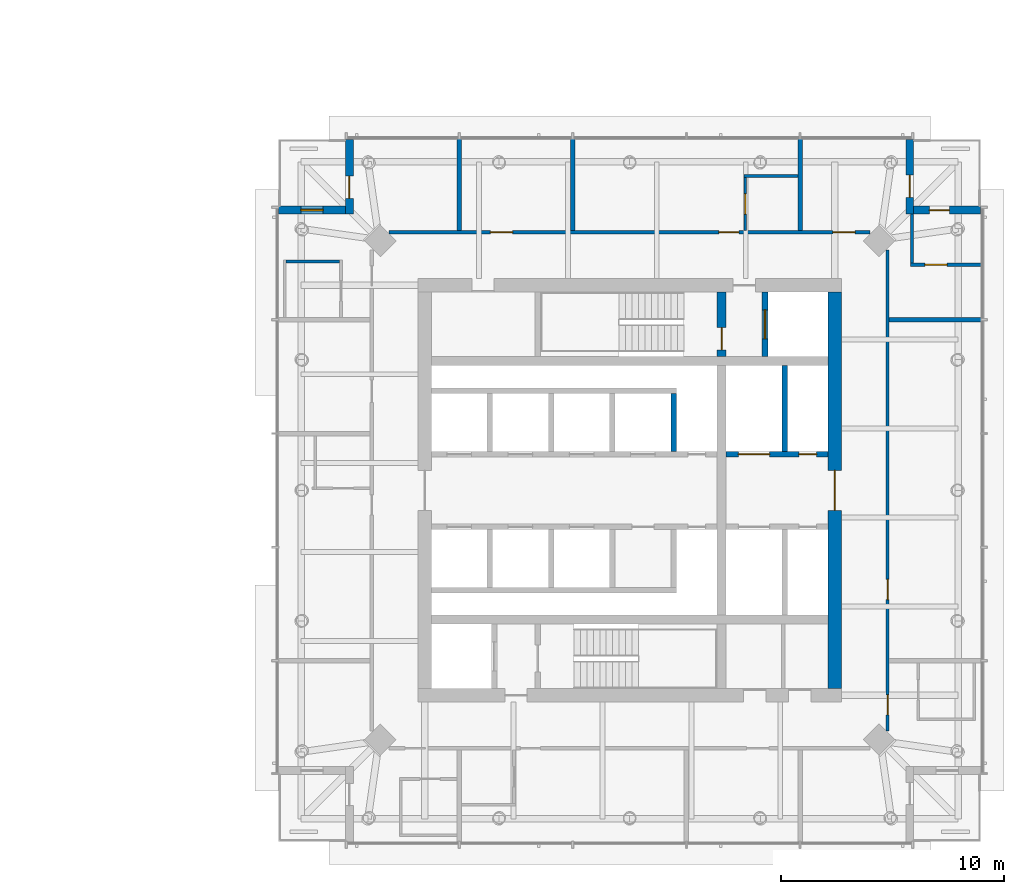
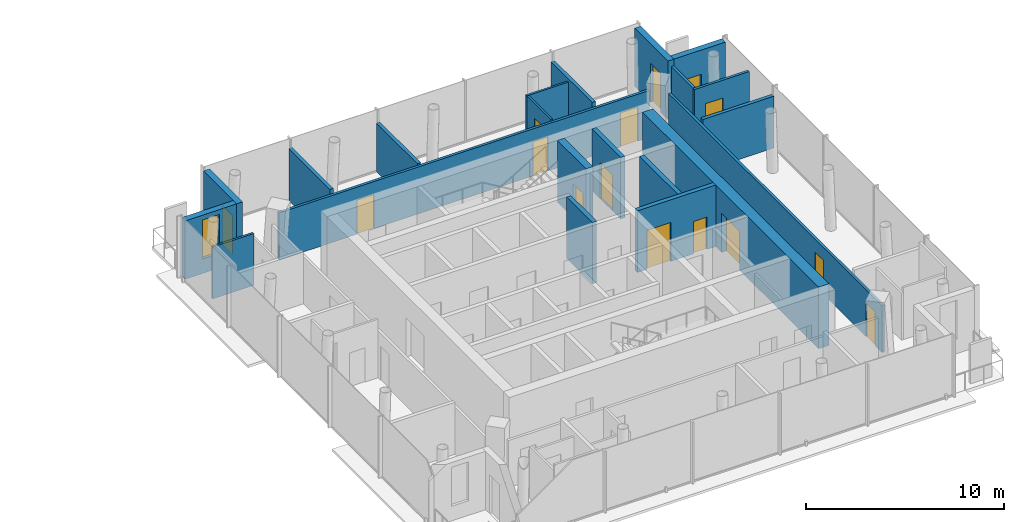
# One storey, part 14 of 19: 21 walls, 15 doors, 1 window, 16 openings.
"""IFC4 building model written with IfcOpenShell, lengths in metres."""

from ifc_helpers import new_model, si_unit, direction, frame, frame_2d, origin, place, context, subcontext, project, spatial, rectangle, extrude, material, layer, layer_set, type_object, element, fill, save


model = new_model("IFC4")

# Units and contexts
model_context = context("Model", 3, precision=1e-05, world=origin(), true_north=direction((0.0, 1.0)))
body_context = subcontext(model_context, "Body", "Model", "MODEL_VIEW")
ifc_project = project(units=[si_unit("LENGTHUNIT", "METRE"), si_unit("AREAUNIT", "SQUARE_METRE"), si_unit("VOLUMEUNIT", "CUBIC_METRE"), si_unit("PLANEANGLEUNIT", "RADIAN"), si_unit("MASSUNIT", "GRAM", prefix="KILO")], contexts=[model_context])

# Site, building, storey
site_placement = place(None, origin())
site = spatial("IfcSite", under=ifc_project, at=site_placement, CompositionType="ELEMENT")
building_placement = place(site_placement, origin())
building = spatial("IfcBuilding", under=site, at=building_placement, Name="Ostroluk Exchange", CompositionType="ELEMENT")
storey_placement = place(building_placement, frame((0.0, 0.0, 119.800048828125)))
storey = spatial("IfcBuildingStorey", under=building, at=storey_placement, Name="L30", CompositionType="ELEMENT", Elevation=119.800048828125)

# Wall, opening, door
ifc_material_1 = material(Name="Concrete C50/60", Category="concrete")
ifc_layer_1 = layer(ifc_material_1, 0.39990234375)
ifc_layer_set_1 = layer_set([ifc_layer_1], Name="Core cross wall 400 C50/60")
wall_type_1 = type_object("IfcWallType", Name="Core cross wall 400 C50/60", PredefinedType="SHEAR", material=ifc_layer_set_1)
wall_1_placement = place(storey_placement, frame((121.1298828125, 52.0, 0.0), z_axis=(0.0, 0.0, 1.0), x_axis=(0.0, 1.0, 0.0)))
wall_1 = element("IfcWall", 1, at=wall_1_placement, inside=storey, type_object=wall_type_1, Name="T2 core wall YE3", PredefinedType="SHEAR", context=body_context, shape_type="SweptSolid", body=[
    extrude(rectangle(XDim=2.89990234375, YDim=0.39990234375, at=frame_2d((1.449951171875, 0.0))), origin(), (0.0, 0.0, 1.0), 3.800048828125),
])
opening_1_placement = place(wall_1_placement, frame((0.300048828125, 0.0, 0.0)))
opening_1 = element("IfcOpeningElement", 2, at=opening_1_placement, cuts=wall_1, Name="Opening FD60", PredefinedType="OPENING", context=body_context, shape_type="SweptSolid", body=[
    extrude(rectangle(XDim=1.0, YDim=2.10009765625, at=frame_2d((0.5, 1.050048828125))), frame((0.0, 0.2099609375, 0.0), z_axis=(0.0, -1.0, 0.0), x_axis=(1.0, 0.0, 0.0)), (0.0, 0.0, 1.0), 0.419921875),
])
ifc_material_2 = material(Name="Steel", Category="steel")
door_type_1 = type_object("IfcDoorType", Name="Fire door EI 60 1000 x 2100", OperationType="SINGLE_SWING_LEFT", PredefinedType="DOOR", material=ifc_material_2)
door_1_placement = place(opening_1_placement, origin())
door_1 = element("IfcDoor", 3, at=door_1_placement, inside=storey, type_object=door_type_1, Name="Stair T2-S2 door", OperationType="SINGLE_SWING_LEFT", OverallHeight=2.10009765625, OverallWidth=1.0, PredefinedType="DOOR", context=body_context, shape_type="SweptSolid", body=[
    extrude(rectangle(XDim=1.0, YDim=2.10009765625, at=frame_2d((0.5, 1.050048828125))), frame((0.0, 0.02490234375, 0.0), z_axis=(0.0, -1.0, 0.0), x_axis=(1.0, 0.0, 0.0)), (0.0, 0.0, 1.0), 0.050048828125),
])
fill(opening_1, door_1)

ifc_material_3 = material(Name="Concrete C40/50", Category="concrete")
ifc_layer_2 = layer(ifc_material_3, 0.25)
ifc_layer_set_2 = layer_set([ifc_layer_2], Name="Core shaft wall 250")
wall_type_2 = type_object("IfcWallType", Name="Core shaft wall 250", PredefinedType="SHEAR", material=ifc_layer_set_2)
wall_2_placement = place(storey_placement, frame((123.074951171875, 52.0, 0.0), z_axis=(0.0, 0.0, 1.0), x_axis=(0.0, 1.0, 0.0)))
wall_2 = element("IfcWall", 4, at=wall_2_placement, inside=storey, type_object=wall_type_2, Name="Firefighting lift shaft wall", PredefinedType="SHEAR", context=body_context, shape_type="SweptSolid", body=[
    extrude(rectangle(XDim=2.89990234375, YDim=0.25, at=frame_2d((1.449951171875, 0.0))), origin(), (0.0, 0.0, 1.0), 3.800048828125),
])
opening_2_placement = place(wall_2_placement, frame((0.800048828125, 0.0, 0.0)))
opening_2 = element("IfcOpeningElement", 5, at=opening_2_placement, cuts=wall_2, Name="Opening LD2", PredefinedType="OPENING", context=body_context, shape_type="SweptSolid", body=[
    extrude(rectangle(XDim=1.300048828125, YDim=2.199951171875, at=frame_2d((0.64990234375, 1.10009765625))), frame((0.0, 0.135009765625, 0.0), z_axis=(0.0, -1.0, 0.0), x_axis=(1.0, 0.0, 0.0)), (0.0, 0.0, 1.0), 0.27001953125),
])
ifc_material_4 = material(Name="Stainless steel", Category="steel")
door_type_2 = type_object("IfcDoorType", Name="Lift landing door E 60 1300 x 2200", OperationType="DOUBLE_DOOR_SLIDING", PredefinedType="DOOR", material=ifc_material_4)
door_2_placement = place(opening_2_placement, origin())
door_2 = element("IfcDoor", 6, at=door_2_placement, inside=storey, type_object=door_type_2, Name="Lift HF2 landing door", OperationType="DOUBLE_DOOR_SLIDING", OverallHeight=2.199951171875, OverallWidth=1.300048828125, PredefinedType="DOOR", context=body_context, shape_type="SweptSolid", body=[
    extrude(rectangle(XDim=1.300048828125, YDim=2.199951171875, at=frame_2d((0.64990234375, 1.10009765625))), frame((0.0, 0.02490234375, 0.0), z_axis=(0.0, -1.0, 0.0), x_axis=(1.0, 0.0, 0.0)), (0.0, 0.0, 1.0), 0.050048828125),
])
fill(opening_2, door_2)

# Walls
wall_3_placement = place(storey_placement, frame((118.97509765625, 47.75, 0.0), z_axis=(0.0, 0.0, 1.0), x_axis=(0.0, 1.0, 0.0)))
element("IfcWall", 7, at=wall_3_placement, inside=storey, type_object=wall_type_2, Name="Lift shaft wall", PredefinedType="SHEAR", context=body_context, shape_type="SweptSolid", body=[
    extrude(rectangle(XDim=2.60009765625, YDim=0.25, at=frame_2d((1.300048828125, 0.0))), origin(), (0.0, 0.0, 1.0), 3.800048828125),
])
wall_4_placement = place(storey_placement, frame((123.955078125, 47.75, 0.0), z_axis=(0.0, 0.0, 1.0), x_axis=(0.0, 1.0, 0.0)))
element("IfcWall", 8, at=wall_4_placement, inside=storey, type_object=wall_type_2, Name="Lift shaft wall", PredefinedType="SHEAR", context=body_context, shape_type="SweptSolid", body=[
    extrude(rectangle(XDim=3.85009765625, YDim=0.25, at=frame_2d((1.925048828125, 0.0))), origin(), (0.0, 0.0, 1.0), 3.800048828125),
])

# Wall, openings, doors
wall_5_placement = place(storey_placement, frame((121.330078125, 47.625, 0.0), z_axis=(0.0, 0.0, 1.0), x_axis=(1.0, 0.0, 0.0)))
wall_5 = element("IfcWall", 9, at=wall_5_placement, inside=storey, type_object=wall_type_2, Name="Lift shaft front wall", PredefinedType="SHEAR", context=body_context, shape_type="SweptSolid", body=[
    extrude(rectangle(XDim=4.56982421875, YDim=0.25, at=frame_2d((2.284912109375, 0.0))), origin(), (0.0, 0.0, 1.0), 3.800048828125),
])
opening_3_placement = place(wall_5_placement, frame((0.550048828125, 0.0, 0.0)))
opening_3 = element("IfcOpeningElement", 10, at=opening_3_placement, cuts=wall_5, Name="Opening LD3", PredefinedType="OPENING", context=body_context, shape_type="SweptSolid", body=[
    extrude(rectangle(XDim=1.39990234375, YDim=2.39990234375, at=frame_2d((0.699951171875, 1.199951171875))), frame((0.0, 0.135009765625, 0.0), z_axis=(0.0, -1.0, 0.0), x_axis=(1.0, 0.0, 0.0)), (0.0, 0.0, 1.0), 0.27001953125),
])
opening_4_placement = place(wall_5_placement, frame((3.260009765625, 0.0, 0.0)))
opening_4 = element("IfcOpeningElement", 11, at=opening_4_placement, cuts=wall_5, Name="Opening RD60", PredefinedType="OPENING", context=body_context, shape_type="SweptSolid", body=[
    extrude(rectangle(XDim=0.800048828125, YDim=2.0, at=frame_2d((0.39990234375, 1.0))), frame((0.0, 0.135009765625, 0.0), z_axis=(0.0, -1.0, 0.0), x_axis=(1.0, 0.0, 0.0)), (0.0, 0.0, 1.0), 0.27001953125),
])
ifc_material_5 = material(Name="Stainless steel", Category="steel")
door_type_3 = type_object("IfcDoorType", Name="Goods lift landing door E 60 1400 x 2400", OperationType="DOUBLE_DOOR_SLIDING", PredefinedType="DOOR", material=ifc_material_5)
door_3_placement = place(opening_3_placement, origin())
door_3 = element("IfcDoor", 12, at=door_3_placement, inside=storey, type_object=door_type_3, Name="Lift HS1 landing door", OperationType="DOUBLE_DOOR_SLIDING", OverallHeight=2.39990234375, OverallWidth=1.39990234375, PredefinedType="DOOR", context=body_context, shape_type="SweptSolid", body=[
    extrude(rectangle(XDim=1.39990234375, YDim=2.39990234375, at=frame_2d((0.699951171875, 1.199951171875))), frame((0.0, 0.02490234375, 0.0), z_axis=(0.0, -1.0, 0.0), x_axis=(1.0, 0.0, 0.0)), (0.0, 0.0, 1.0), 0.050048828125),
])
fill(opening_3, door_3)
ifc_material_6 = material(Name="Steel", Category="steel")
door_type_4 = type_object("IfcDoorType", Name="Riser access door EI 60 800 x 2000", OperationType="SINGLE_SWING_LEFT", PredefinedType="DOOR", material=ifc_material_6)
door_4_placement = place(opening_4_placement, origin())
door_4 = element("IfcDoor", 13, at=door_4_placement, inside=storey, type_object=door_type_4, Name="Riser access door", OperationType="SINGLE_SWING_RIGHT", OverallHeight=2.0, OverallWidth=0.800048828125, PredefinedType="DOOR", context=body_context, shape_type="SweptSolid", body=[
    extrude(rectangle(XDim=0.800048828125, YDim=2.0, at=frame_2d((0.39990234375, 1.0))), frame((0.0, 0.02490234375, 0.0), z_axis=(0.0, -1.0, 0.0), x_axis=(1.0, 0.0, 0.0)), (0.0, 0.0, 1.0), 0.050048828125),
])
fill(opening_4, door_4)

# Wall, opening, door
ifc_material_7 = material(Name="Concrete C50/60", Category="concrete")
ifc_layer_3 = layer(ifc_material_7, 0.60009765625)
ifc_layer_set_3 = layer_set([ifc_layer_3], Name="Core wall 600 C50/60")
wall_type_3 = type_object("IfcWallType", Name="Core wall 600 C50/60", PredefinedType="SHEAR", material=ifc_layer_set_3)
wall_6_placement = place(storey_placement, frame((126.199951171875, 37.10009765625, 0.0), z_axis=(0.0, 0.0, 1.0), x_axis=(0.0, 1.0, 0.0)))
wall_6 = element("IfcWall", 14, at=wall_6_placement, inside=storey, type_object=wall_type_3, Name="T2 core wall E", PredefinedType="SHEAR", context=body_context, shape_type="SweptSolid", body=[
    extrude(rectangle(XDim=17.7998046875, YDim=0.60009765625, at=frame_2d((8.89990234375, 0.0))), origin(), (0.0, 0.0, 1.0), 3.800048828125),
])
opening_5_placement = place(wall_6_placement, frame((8.0, 0.0, 0.0)))
opening_5 = element("IfcOpeningElement", 15, at=opening_5_placement, cuts=wall_6, Name="Opening FD30D", PredefinedType="OPENING", context=body_context, shape_type="SweptSolid", body=[
    extrude(rectangle(XDim=1.800048828125, YDim=2.39990234375, at=frame_2d((0.89990234375, 1.199951171875))), frame((0.0, 0.31005859375, 0.0), z_axis=(0.0, -1.0, 0.0), x_axis=(1.0, 0.0, 0.0)), (0.0, 0.0, 1.0), 0.6201171875),
])
ifc_material_8 = material(Name="Timber", Category="wood")
door_type_5 = type_object("IfcDoorType", Name="Lobby double door EI 30 1800 x 2400", OperationType="DOUBLE_DOOR_SINGLE_SWING", PredefinedType="DOOR", material=ifc_material_8)
door_5_placement = place(opening_5_placement, origin())
door_5 = element("IfcDoor", 16, at=door_5_placement, inside=storey, type_object=door_type_5, Name="Lift lobby doors", OperationType="DOUBLE_DOOR_SINGLE_SWING", OverallHeight=2.39990234375, OverallWidth=1.800048828125, PredefinedType="DOOR", context=body_context, shape_type="SweptSolid", body=[
    extrude(rectangle(XDim=1.800048828125, YDim=2.39990234375, at=frame_2d((0.89990234375, 1.199951171875))), frame((0.0, 0.02490234375, 0.0), z_axis=(0.0, -1.0, 0.0), x_axis=(1.0, 0.0, 0.0)), (0.0, 0.0, 1.0), 0.050048828125),
])
fill(opening_5, door_5)

ifc_material_9 = material(Name="Limestone", Category="masonry")
ifc_layer_4 = layer(ifc_material_9, 0.35009765625)
ifc_layer_set_4 = layer_set([ifc_layer_4], Name="Limestone facade wall 350")
wall_type_4 = type_object("IfcWallType", Name="Limestone facade wall 350", PredefinedType="SOLIDWALL", material=ifc_layer_set_4)
wall_7_placement = place(storey_placement, frame((129.574951171875, 61.75, 0.0), z_axis=(0.0, 0.0, 1.0), x_axis=(0.0, -1.0, 0.0)))
wall_7 = element("IfcWall", 17, at=wall_7_placement, inside=storey, type_object=wall_type_4, Name="Hotel tower NE corner wall L30 a", PredefinedType="SOLIDWALL", context=body_context, shape_type="SweptSolid", body=[
    extrude(rectangle(XDim=3.35009765625, YDim=0.35009765625, at=frame_2d((1.675048828125, 0.0))), origin(), (0.0, 0.0, 1.0), 3.599853515625),
])
opening_6_placement = place(wall_7_placement, frame((1.60009765625, 0.0, 0.0)))
opening_6 = element("IfcOpeningElement", 18, at=opening_6_placement, cuts=wall_7, Name="Opening D-B1", PredefinedType="OPENING", context=body_context, shape_type="SweptSolid", body=[
    extrude(rectangle(XDim=1.0, YDim=2.39990234375, at=frame_2d((0.5, 1.199951171875))), frame((0.0, 0.18505859375, 0.0), z_axis=(0.0, -1.0, 0.0), x_axis=(1.0, 0.0, 0.0)), (0.0, 0.0, 1.0), 0.3701171875),
])
ifc_material_10 = material(Name="Bronze framed glazed door", Category="aluminium")
door_type_6 = type_object("IfcDoorType", Name="Balcony door 1000 x 2400", OperationType="SINGLE_SWING_LEFT", PredefinedType="DOOR", material=ifc_material_10)
door_6_placement = place(opening_6_placement, origin())
door_6 = element("IfcDoor", 19, at=door_6_placement, inside=storey, type_object=door_type_6, Name="Hotel tower NE balcony door L30", OperationType="SINGLE_SWING_RIGHT", OverallHeight=2.39990234375, OverallWidth=1.0, PredefinedType="DOOR", context=body_context, shape_type="SweptSolid", body=[
    extrude(rectangle(XDim=1.0, YDim=2.39990234375, at=frame_2d((0.5, 1.199951171875))), frame((0.0, 0.02490234375, 0.0), z_axis=(0.0, -1.0, 0.0), x_axis=(1.0, 0.0, 0.0)), (0.0, 0.0, 1.0), 0.050048828125),
])
fill(opening_6, door_6)

wall_8_placement = place(storey_placement, frame((129.75, 58.574951171875, 0.0), z_axis=(0.0, 0.0, 1.0), x_axis=(1.0, 0.0, 0.0)))
wall_8 = element("IfcWall", 20, at=wall_8_placement, inside=storey, type_object=wall_type_4, Name="Hotel tower NE corner wall L30 b", PredefinedType="SOLIDWALL", context=body_context, shape_type="SweptSolid", body=[
    extrude(rectangle(XDim=3.0, YDim=0.35009765625, at=frame_2d((1.5, 0.0))), origin(), (0.0, 0.0, 1.0), 3.599853515625),
])
opening_7_placement = place(wall_8_placement, frame((0.699951171875, 0.0, 0.0)))
opening_7 = element("IfcOpeningElement", 21, at=opening_7_placement, cuts=wall_8, Name="Opening D-M1", PredefinedType="OPENING", context=body_context, shape_type="SweptSolid", body=[
    extrude(rectangle(XDim=0.89990234375, YDim=2.10009765625, at=frame_2d((0.449951171875, 1.050048828125))), frame((0.0, 0.18505859375, 0.0), z_axis=(0.0, -1.0, 0.0), x_axis=(1.0, 0.0, 0.0)), (0.0, 0.0, 1.0), 0.3701171875),
])
ifc_material_11 = material(Name="Steel door", Category="steel")
door_type_7 = type_object("IfcDoorType", Name="Maintenance access door 900 x 2100", OperationType="SINGLE_SWING_LEFT", PredefinedType="DOOR", material=ifc_material_11)
door_7_placement = place(opening_7_placement, origin())
door_7 = element("IfcDoor", 22, at=door_7_placement, inside=storey, type_object=door_type_7, Name="Maintenance access door T2 L30 NE", OperationType="SINGLE_SWING_LEFT", OverallHeight=2.10009765625, OverallWidth=0.89990234375, PredefinedType="DOOR", context=body_context, shape_type="SweptSolid", body=[
    extrude(rectangle(XDim=0.89990234375, YDim=2.10009765625, at=frame_2d((0.449951171875, 1.050048828125))), frame((0.0, 0.02490234375, 0.0), z_axis=(0.0, -1.0, 0.0), x_axis=(1.0, 0.0, 0.0)), (0.0, 0.0, 1.0), 0.050048828125),
])
fill(opening_7, door_7)

wall_9_placement = place(storey_placement, frame((104.425048828125, 61.75, 0.0), z_axis=(0.0, 0.0, 1.0), x_axis=(0.0, -1.0, 0.0)))
wall_9 = element("IfcWall", 23, at=wall_9_placement, inside=storey, type_object=wall_type_4, Name="Hotel tower NW corner wall L30 a", PredefinedType="SOLIDWALL", context=body_context, shape_type="SweptSolid", body=[
    extrude(rectangle(XDim=3.35009765625, YDim=0.35009765625, at=frame_2d((1.675048828125, 0.0))), origin(), (0.0, 0.0, 1.0), 3.599853515625),
])
opening_8_placement = place(wall_9_placement, frame((1.64990234375, 0.0, 0.0)))
opening_8 = element("IfcOpeningElement", 24, at=opening_8_placement, cuts=wall_9, Name="Opening D-B1", PredefinedType="OPENING", context=body_context, shape_type="SweptSolid", body=[
    extrude(rectangle(XDim=1.0, YDim=2.39990234375, at=frame_2d((0.5, 1.199951171875))), frame((0.0, 0.18505859375, 0.0), z_axis=(0.0, -1.0, 0.0), x_axis=(1.0, 0.0, 0.0)), (0.0, 0.0, 1.0), 0.3701171875),
])
door_8_placement = place(opening_8_placement, origin())
door_8 = element("IfcDoor", 25, at=door_8_placement, inside=storey, type_object=door_type_6, Name="Hotel tower NW balcony door L30", OperationType="SINGLE_SWING_RIGHT", OverallHeight=2.39990234375, OverallWidth=1.0, PredefinedType="DOOR", context=body_context, shape_type="SweptSolid", body=[
    extrude(rectangle(XDim=1.0, YDim=2.39990234375, at=frame_2d((0.5, 1.199951171875))), frame((0.0, 0.02490234375, 0.0), z_axis=(0.0, -1.0, 0.0), x_axis=(1.0, 0.0, 0.0)), (0.0, 0.0, 1.0), 0.050048828125),
])
fill(opening_8, door_8)

# Wall, opening, window
wall_10_placement = place(storey_placement, frame((104.25, 58.574951171875, 0.0), z_axis=(0.0, 0.0, 1.0), x_axis=(-1.0, 0.0, 0.0)))
wall_10 = element("IfcWall", 26, at=wall_10_placement, inside=storey, type_object=wall_type_4, Name="Hotel tower NW corner wall L30 b", PredefinedType="SOLIDWALL", context=body_context, shape_type="SweptSolid", body=[
    extrude(rectangle(XDim=3.0, YDim=0.35009765625, at=frame_2d((1.5, 0.0))), origin(), (0.0, 0.0, 1.0), 3.599853515625),
])
opening_9_placement = place(wall_10_placement, frame((1.0, 0.0, 0.89990234375)))
opening_9 = element("IfcOpeningElement", 27, at=opening_9_placement, cuts=wall_10, Name="Opening WN-L3", PredefinedType="OPENING", context=body_context, shape_type="SweptSolid", body=[
    extrude(rectangle(XDim=1.0, YDim=2.39990234375, at=frame_2d((0.5, 1.199951171875))), frame((0.0, 0.18505859375, 0.0), z_axis=(0.0, -1.0, 0.0), x_axis=(1.0, 0.0, 0.0)), (0.0, 0.0, 1.0), 0.3701171875),
])
ifc_material_12 = material(Name="Laminated clear glass", Category="glass")
window_type = type_object("IfcWindowType", Name="Hotel lancet window 1000 x 2400", PartitioningType="SINGLE_PANEL", PredefinedType="WINDOW", material=ifc_material_12)
window_placement = place(opening_9_placement, origin())
window = element("IfcWindow", 28, at=window_placement, inside=storey, type_object=window_type, Name="Hotel tower NW lancet window L30", OverallHeight=2.39990234375, OverallWidth=1.0, PartitioningType="SINGLE_PANEL", PredefinedType="WINDOW", context=body_context, shape_type="SweptSolid", body=[
    extrude(rectangle(XDim=1.0, YDim=2.39990234375, at=frame_2d((0.5, 1.199951171875))), frame((0.0, 0.030029296875, 0.0), z_axis=(0.0, -1.0, 0.0), x_axis=(1.0, 0.0, 0.0)), (0.0, 0.0, 1.0), 0.06005859375),
])
fill(opening_9, window)

# Wall
ifc_material_13 = material(Name="Gypsum plasterboard partition, moisture resistant", Category="gypsum")
ifc_layer_5 = layer(ifc_material_13, 0.1201171875)
ifc_layer_set_5 = layer_set([ifc_layer_5], Name="Plasterboard en-suite wall 120")
wall_type_5 = type_object("IfcWallType", Name="Plasterboard en-suite wall 120", PredefinedType="PARTITIONING", material=ifc_layer_set_5)
wall_11_placement = place(storey_placement, frame((124.550048828125, 60.110107421875, 0.0), z_axis=(0.0, 0.0, 1.0), x_axis=(-1.0, 0.0, 0.0)))
element("IfcWall", 29, at=wall_11_placement, inside=storey, type_object=wall_type_5, Name="En-suite wall", PredefinedType="PARTITIONING", context=body_context, shape_type="SweptSolid", body=[
    extrude(rectangle(XDim=2.420166015625, YDim=0.1201171875, at=frame_2d((1.2099609375, 0.0))), origin(), (0.0, 0.0, 1.0), 3.0),
])

# Wall, opening, door
wall_12_placement = place(storey_placement, frame((122.18994140625, 57.64990234375, 0.0), z_axis=(0.0, 0.0, 1.0), x_axis=(0.0, 1.0, 0.0)))
wall_12 = element("IfcWall", 30, at=wall_12_placement, inside=storey, type_object=wall_type_5, Name="En-suite wall", PredefinedType="PARTITIONING", context=body_context, shape_type="SweptSolid", body=[
    extrude(rectangle(XDim=2.400146484375, YDim=0.1201171875, at=frame_2d((1.2001953125, 0.0))), origin(), (0.0, 0.0, 1.0), 3.0),
])
opening_10_placement = place(wall_12_placement, frame((0.75, 0.0, 0.0)))
opening_10 = element("IfcOpeningElement", 31, at=opening_10_placement, cuts=wall_12, Name="Opening D-02", PredefinedType="OPENING", context=body_context, shape_type="SweptSolid", body=[
    extrude(rectangle(XDim=0.89990234375, YDim=2.10009765625, at=frame_2d((0.449951171875, 1.050048828125))), frame((0.0, 0.070068359375, 0.0), z_axis=(0.0, -1.0, 0.0), x_axis=(1.0, 0.0, 0.0)), (0.0, 0.0, 1.0), 0.14013671875),
])
ifc_material_14 = material(Name="Timber", Category="wood")
door_type_8 = type_object("IfcDoorType", Name="En-suite door 900 x 2100", OperationType="SINGLE_SWING_LEFT", PredefinedType="DOOR", material=ifc_material_14)
door_9_placement = place(opening_10_placement, origin())
door_9 = element("IfcDoor", 32, at=door_9_placement, inside=storey, type_object=door_type_8, Name="En-suite door 3002", OperationType="SINGLE_SWING_RIGHT", OverallHeight=2.10009765625, OverallWidth=0.89990234375, PredefinedType="DOOR", context=body_context, shape_type="SweptSolid", body=[
    extrude(rectangle(XDim=0.89990234375, YDim=2.10009765625, at=frame_2d((0.449951171875, 1.050048828125))), frame((0.0, 0.02490234375, 0.0), z_axis=(0.0, -1.0, 0.0), x_axis=(1.0, 0.0, 0.0)), (0.0, 0.0, 1.0), 0.050048828125),
])
fill(opening_10, door_9)

# Wall
wall_13_placement = place(storey_placement, frame((103.989990234375, 56.27001953125, 0.0), z_axis=(0.0, 0.0, 1.0), x_axis=(-1.0, 0.0, 0.0)))
element("IfcWall", 33, at=wall_13_placement, inside=storey, type_object=wall_type_5, Name="En-suite wall", PredefinedType="PARTITIONING", context=body_context, shape_type="SweptSolid", body=[
    extrude(rectangle(XDim=2.39990234375, YDim=0.1201171875, at=frame_2d((1.199951171875, 0.0))), origin(), (0.0, 0.0, 1.0), 3.199951171875),
])

# Wall, openings, doors
ifc_material_15 = material(Name="Gypsum plasterboard partition", Category="gypsum")
ifc_layer_6 = layer(ifc_material_15, 0.14990234375)
ifc_layer_set_6 = layer_set([ifc_layer_6], Name="Plasterboard partition 150")
wall_type_6 = type_object("IfcWallType", Name="Plasterboard partition 150", PredefinedType="PARTITIONING", material=ifc_layer_set_6)
wall_14_placement = place(storey_placement, frame((128.574951171875, 35.20703125, 0.0), z_axis=(0.0, 0.0, 1.0), x_axis=(0.0, 1.0, 0.0)))
wall_14 = element("IfcWall", 34, at=wall_14_placement, inside=storey, type_object=wall_type_6, Name="Corridor wall", PredefinedType="PARTITIONING", context=body_context, shape_type="SweptSolid", body=[
    extrude(rectangle(XDim=21.5859375, YDim=0.14990234375, at=frame_2d((10.79296875, 0.0))), origin(), (0.0, 0.0, 1.0), 2.89990234375),
])
opening_11_placement = place(wall_14_placement, frame((0.7177734375, 0.0, 0.0)))
opening_11 = element("IfcOpeningElement", 35, at=opening_11_placement, cuts=wall_14, Name="Opening D-01", PredefinedType="OPENING", context=body_context, shape_type="SweptSolid", body=[
    extrude(rectangle(XDim=0.89990234375, YDim=2.10009765625, at=frame_2d((0.449951171875, 1.050048828125))), frame((0.0, 0.0849609375, 0.0), z_axis=(0.0, -1.0, 0.0), x_axis=(1.0, 0.0, 0.0)), (0.0, 0.0, 1.0), 0.169921875),
])
opening_12_placement = place(wall_14_placement, frame((5.892822265625, 0.0, 0.0)))
opening_12 = element("IfcOpeningElement", 36, at=opening_12_placement, cuts=wall_14, Name="Opening D-01", PredefinedType="OPENING", context=body_context, shape_type="SweptSolid", body=[
    extrude(rectangle(XDim=0.89990234375, YDim=2.10009765625, at=frame_2d((0.449951171875, 1.050048828125))), frame((0.0, 0.0849609375, 0.0), z_axis=(0.0, -1.0, 0.0), x_axis=(1.0, 0.0, 0.0)), (0.0, 0.0, 1.0), 0.169921875),
])
ifc_material_16 = material(Name="Timber", Category="wood")
door_type_9 = type_object("IfcDoorType", Name="Hotel room door EI 30 Sa 900 x 2100", OperationType="SINGLE_SWING_LEFT", PredefinedType="DOOR", material=ifc_material_16)
door_10_placement = place(opening_11_placement, origin())
door_10 = element("IfcDoor", 37, at=door_10_placement, inside=storey, type_object=door_type_9, Name="Room door 3001", OperationType="SINGLE_SWING_LEFT", OverallHeight=2.10009765625, OverallWidth=0.89990234375, PredefinedType="DOOR", context=body_context, shape_type="SweptSolid", body=[
    extrude(rectangle(XDim=0.89990234375, YDim=2.10009765625, at=frame_2d((0.449951171875, 1.050048828125))), frame((0.0, 0.02490234375, 0.0), z_axis=(0.0, -1.0, 0.0), x_axis=(1.0, 0.0, 0.0)), (0.0, 0.0, 1.0), 0.050048828125),
])
fill(opening_11, door_10)
door_11_placement = place(opening_12_placement, origin())
door_11 = element("IfcDoor", 38, at=door_11_placement, inside=storey, type_object=door_type_9, Name="Room door 3002", OperationType="SINGLE_SWING_LEFT", OverallHeight=2.10009765625, OverallWidth=0.89990234375, PredefinedType="DOOR", context=body_context, shape_type="SweptSolid", body=[
    extrude(rectangle(XDim=0.89990234375, YDim=2.10009765625, at=frame_2d((0.449951171875, 1.050048828125))), frame((0.0, 0.02490234375, 0.0), z_axis=(0.0, -1.0, 0.0), x_axis=(1.0, 0.0, 0.0)), (0.0, 0.0, 1.0), 0.050048828125),
])
fill(opening_12, door_11)

wall_15_placement = place(storey_placement, frame((127.79296875, 57.574951171875, 0.0), z_axis=(0.0, 0.0, 1.0), x_axis=(-1.0, 0.0, 0.0)))
wall_15 = element("IfcWall", 39, at=wall_15_placement, inside=storey, type_object=wall_type_6, Name="Corridor wall", PredefinedType="PARTITIONING", context=body_context, shape_type="SweptSolid", body=[
    extrude(rectangle(XDim=21.5859375, YDim=0.14990234375, at=frame_2d((10.79296875, 0.0))), origin(), (0.0, 0.0, 1.0), 2.89990234375),
])
opening_13_placement = place(wall_15_placement, frame((0.66796875, 0.0, 0.0)))
opening_13 = element("IfcOpeningElement", 40, at=opening_13_placement, cuts=wall_15, Name="Opening D-03", PredefinedType="OPENING", context=body_context, shape_type="SweptSolid", body=[
    extrude(rectangle(XDim=1.0, YDim=2.10009765625, at=frame_2d((0.5, 1.050048828125))), frame((0.0, 0.0849609375, 0.0), z_axis=(0.0, -1.0, 0.0), x_axis=(1.0, 0.0, 0.0)), (0.0, 0.0, 1.0), 0.169921875),
])
opening_14_placement = place(wall_15_placement, frame((5.892822265625, 0.0, 0.0)))
opening_14 = element("IfcOpeningElement", 41, at=opening_14_placement, cuts=wall_15, Name="Opening D-01", PredefinedType="OPENING", context=body_context, shape_type="SweptSolid", body=[
    extrude(rectangle(XDim=0.89990234375, YDim=2.10009765625, at=frame_2d((0.449951171875, 1.050048828125))), frame((0.0, 0.0849609375, 0.0), z_axis=(0.0, -1.0, 0.0), x_axis=(1.0, 0.0, 0.0)), (0.0, 0.0, 1.0), 0.169921875),
])
opening_15_placement = place(wall_15_placement, frame((16.04296875, 0.0, 0.0)))
opening_15 = element("IfcOpeningElement", 42, at=opening_15_placement, cuts=wall_15, Name="Opening D-03", PredefinedType="OPENING", context=body_context, shape_type="SweptSolid", body=[
    extrude(rectangle(XDim=1.0, YDim=2.10009765625, at=frame_2d((0.5, 1.050048828125))), frame((0.0, 0.0849609375, 0.0), z_axis=(0.0, -1.0, 0.0), x_axis=(1.0, 0.0, 0.0)), (0.0, 0.0, 1.0), 0.169921875),
])
door_12_placement = place(opening_14_placement, origin())
door_12 = element("IfcDoor", 43, at=door_12_placement, inside=storey, type_object=door_type_9, Name="Room door 3002", OperationType="SINGLE_SWING_LEFT", OverallHeight=2.10009765625, OverallWidth=0.89990234375, PredefinedType="DOOR", context=body_context, shape_type="SweptSolid", body=[
    extrude(rectangle(XDim=0.89990234375, YDim=2.10009765625, at=frame_2d((0.449951171875, 1.050048828125))), frame((0.0, 0.02490234375, 0.0), z_axis=(0.0, -1.0, 0.0), x_axis=(1.0, 0.0, 0.0)), (0.0, 0.0, 1.0), 0.050048828125),
])
fill(opening_14, door_12)
ifc_material_17 = material(Name="Timber", Category="wood")
door_type_10 = type_object("IfcDoorType", Name="Internal door 1000 x 2100", OperationType="SINGLE_SWING_LEFT", PredefinedType="DOOR", material=ifc_material_17)
door_13_placement = place(opening_13_placement, origin())
door_13 = element("IfcDoor", 44, at=door_13_placement, inside=storey, type_object=door_type_10, Name="Guest lounge door", OperationType="SINGLE_SWING_LEFT", OverallHeight=2.10009765625, OverallWidth=1.0, PredefinedType="DOOR", context=body_context, shape_type="SweptSolid", body=[
    extrude(rectangle(XDim=1.0, YDim=2.10009765625, at=frame_2d((0.5, 1.050048828125))), frame((0.0, 0.02490234375, 0.0), z_axis=(0.0, -1.0, 0.0), x_axis=(1.0, 0.0, 0.0)), (0.0, 0.0, 1.0), 0.050048828125),
])
fill(opening_13, door_13)
door_14_placement = place(opening_15_placement, origin())
door_14 = element("IfcDoor", 45, at=door_14_placement, inside=storey, type_object=door_type_10, Name="Guest lounge door", OperationType="SINGLE_SWING_RIGHT", OverallHeight=2.10009765625, OverallWidth=1.0, PredefinedType="DOOR", context=body_context, shape_type="SweptSolid", body=[
    extrude(rectangle(XDim=1.0, YDim=2.10009765625, at=frame_2d((0.5, 1.050048828125))), frame((0.0, 0.02490234375, 0.0), z_axis=(0.0, -1.0, 0.0), x_axis=(1.0, 0.0, 0.0)), (0.0, 0.0, 1.0), 0.050048828125),
])
fill(opening_15, door_14)

# Wall, opening, door
wall_16_placement = place(storey_placement, frame((129.60009765625, 56.125, 0.0), z_axis=(0.0, 0.0, 1.0), x_axis=(1.0, 0.0, 0.0)))
wall_16 = element("IfcWall", 46, at=wall_16_placement, inside=storey, type_object=wall_type_6, Name="Partition", PredefinedType="PARTITIONING", context=body_context, shape_type="SweptSolid", body=[
    extrude(rectangle(XDim=3.18994140625, YDim=0.14990234375, at=frame_2d((1.594970703125, 0.0))), origin(), (0.0, 0.0, 1.0), 3.199951171875),
])
opening_16_placement = place(wall_16_placement, frame((0.64990234375, 0.0, 0.0)))
opening_16 = element("IfcOpeningElement", 47, at=opening_16_placement, cuts=wall_16, Name="Opening D-03", PredefinedType="OPENING", context=body_context, shape_type="SweptSolid", body=[
    extrude(rectangle(XDim=1.0, YDim=2.10009765625, at=frame_2d((0.5, 1.050048828125))), frame((0.0, 0.0849609375, 0.0), z_axis=(0.0, -1.0, 0.0), x_axis=(1.0, 0.0, 0.0)), (0.0, 0.0, 1.0), 0.169921875),
])
door_15_placement = place(opening_16_placement, origin())
door_15 = element("IfcDoor", 48, at=door_15_placement, inside=storey, type_object=door_type_10, Name="Facade maintenance store door", OperationType="SINGLE_SWING_LEFT", OverallHeight=2.10009765625, OverallWidth=1.0, PredefinedType="DOOR", context=body_context, shape_type="SweptSolid", body=[
    extrude(rectangle(XDim=1.0, YDim=2.10009765625, at=frame_2d((0.5, 1.050048828125))), frame((0.0, 0.02490234375, 0.0), z_axis=(0.0, -1.0, 0.0), x_axis=(1.0, 0.0, 0.0)), (0.0, 0.0, 1.0), 0.050048828125),
])
fill(opening_16, door_15)

# Walls
wall_17_placement = place(storey_placement, frame((129.675048828125, 56.199951171875, 0.0), z_axis=(0.0, 0.0, 1.0), x_axis=(0.0, 1.0, 0.0)))
element("IfcWall", 49, at=wall_17_placement, inside=storey, type_object=wall_type_6, Name="Partition", PredefinedType="PARTITIONING", context=body_context, shape_type="SweptSolid", body=[
    extrude(rectangle(XDim=2.199951171875, YDim=0.14990234375, at=frame_2d((1.10009765625, 0.0))), origin(), (0.0, 0.0, 1.0), 3.199951171875),
])
ifc_material_18 = material(Name="Gypsum plasterboard partition", Category="gypsum")
ifc_layer_7 = layer(ifc_material_18, 0.199951171875)
ifc_layer_set_7 = layer_set([ifc_layer_7], Name="Plasterboard party wall 200")
wall_type_7 = type_object("IfcWallType", Name="Plasterboard party wall 200", PredefinedType="PARTITIONING", material=ifc_layer_set_7)
for number, where, z_axis, x_axis, name in (
    (50, (128.64990234375, 53.64990234375, 0.0), (0.0, 0.0, 1.0), (1.0, 0.0, 0.0), "Party wall"),
    (51, (124.64990234375, 57.64990234375, 0.0), (0.0, 0.0, 1.0), (0.0, 1.0, 0.0), "Party wall"),
):
    element("IfcWall", number, at=place(storey_placement, frame(where, z_axis=z_axis, x_axis=x_axis)), inside=storey, type_object=wall_type_7, Name=name, PredefinedType="PARTITIONING", context=body_context, shape_type="SweptSolid", body=[
        extrude(rectangle(XDim=4.14013671875, YDim=0.199951171875, at=frame_2d((2.070068359375, 0.0))), origin(), (0.0, 0.0, 1.0), 3.199951171875),
    ])
wall_18_placement = place(storey_placement, frame((114.449951171875, 57.64990234375, 0.0), z_axis=(0.0, 0.0, 1.0), x_axis=(0.0, 1.0, 0.0)))
element("IfcWall", 52, at=wall_18_placement, inside=storey, type_object=wall_type_7, Name="Party wall", PredefinedType="PARTITIONING", context=body_context, shape_type="SweptSolid", body=[
    extrude(rectangle(XDim=4.14013671875, YDim=0.199951171875, at=frame_2d((2.070068359375, 0.0))), origin(), (0.0, 0.0, 1.0), 3.0),
])
wall_19_placement = place(storey_placement, frame((109.35009765625, 57.64990234375, 0.0), z_axis=(0.0, 0.0, 1.0), x_axis=(0.0, 1.0, 0.0)))
element("IfcWall", 53, at=wall_19_placement, inside=storey, type_object=wall_type_7, Name="Party wall", PredefinedType="PARTITIONING", context=body_context, shape_type="SweptSolid", body=[
    extrude(rectangle(XDim=4.14013671875, YDim=0.199951171875, at=frame_2d((2.070068359375, 0.0))), origin(), (0.0, 0.0, 1.0), 3.199951171875),
])

save(model, "model.ifc")
